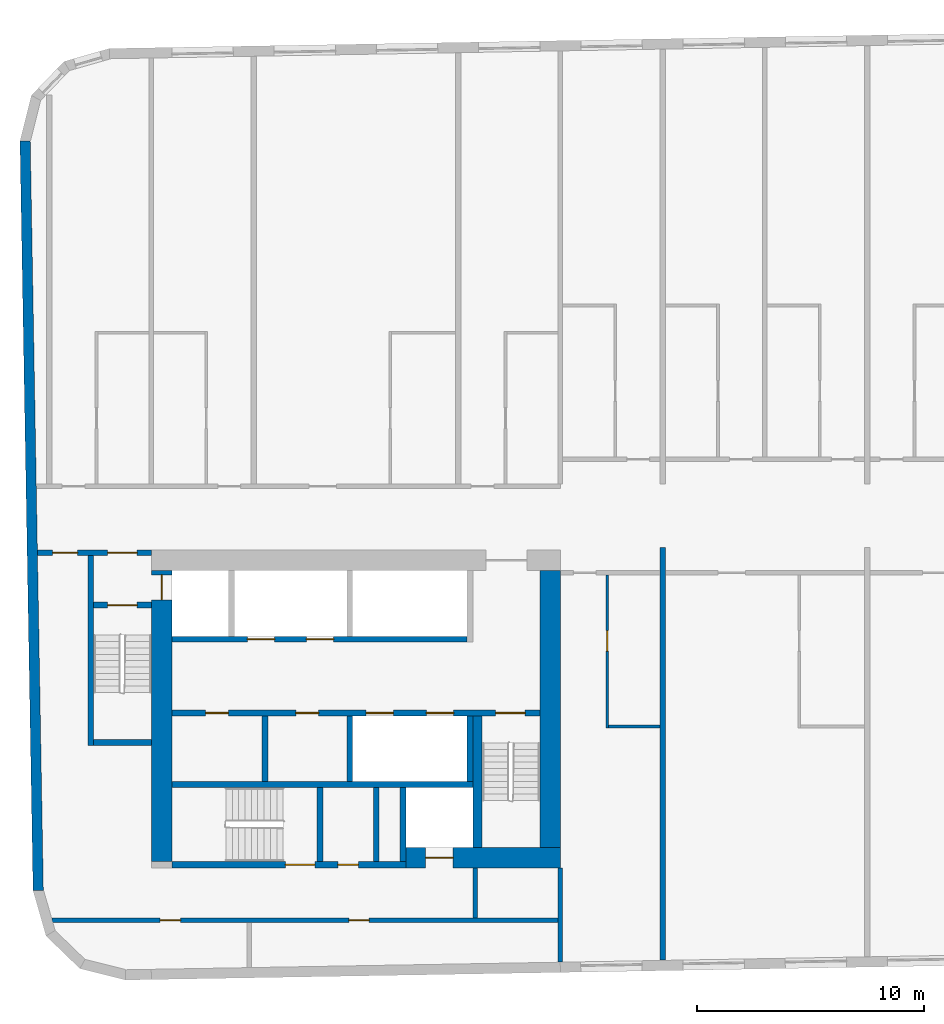
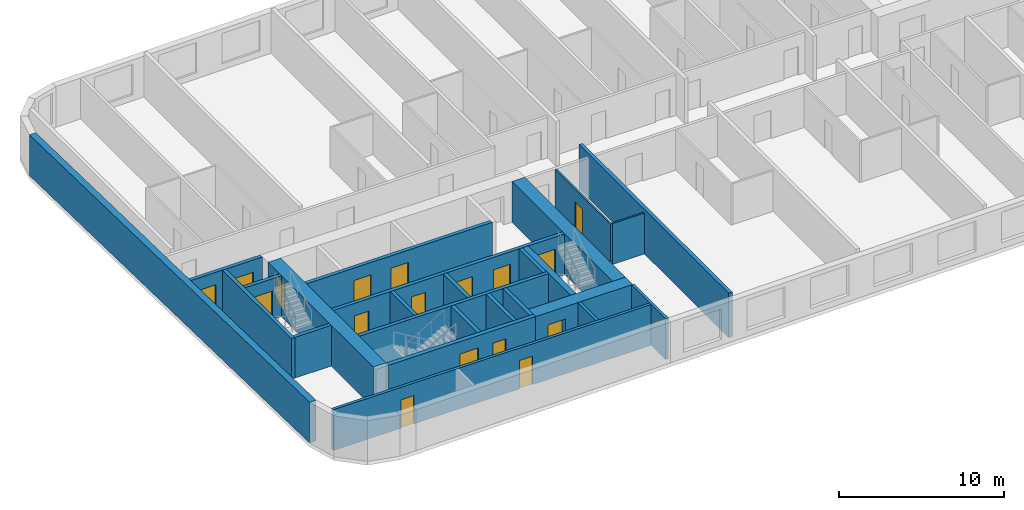
# One storey, part 2 of 11: 25 walls, 17 doors, 17 openings.
"""IFC4 building model written with IfcOpenShell, lengths in metres."""

import ifcopenshell
import ifcopenshell.guid

model = None  # the IFC model being written
_history = None  # IfcOwnerHistory: only IFC2X3 demands one
_inside = {}  # id of a spatial element -> (the spatial element, [elements in it])
_under = {}  # id of a project, library or spatial element -> (it, [spatial elements below it])
_declared = {}  # id of a project -> (the project, [libraries it declares])
_typed = {}  # id of a type object -> (the type object, [elements of that type])
_made_of = {}  # id of a material, layer set ... -> (it, [elements and type objects made of it])


def new_model(schema):
    """Start an empty IFC model of exactly this schema.

    Asked for "IFC4X3", IfcOpenShell would pick the latest addendum, in which some entities
    have other attributes; the version numbers below select the first issue.
    IFC2X3 requires an IfcOwnerHistory on every rooted entity: one is made here for all.
    """
    global model, _history
    if schema == "IFC4X3":
        model = ifcopenshell.file(schema_version=(4, 3, 0, 0))
    else:
        model = ifcopenshell.file(schema=schema)
    _inside.clear()
    _under.clear()
    _declared.clear()
    _typed.clear()
    _made_of.clear()
    _history = None
    if model.schema == "IFC2X3":
        org = make("IfcOrganization", Name="unknown")
        user = make(
            "IfcPersonAndOrganization",
            ThePerson=make("IfcPerson", FamilyName="unknown"),
            TheOrganization=org,
        )
        app = make(
            "IfcApplication",
            ApplicationDeveloper=org,
            Version="unknown",
            ApplicationFullName="unknown",
            ApplicationIdentifier="unknown",
        )
        _history = make(
            "IfcOwnerHistory",
            OwningUser=user,
            OwningApplication=app,
            ChangeAction="ADDED",
            CreationDate=0,
        )
    return model


def make(cls, **values):
    """One entity of the class cls with the attributes given. An attribute that is None is left unset."""
    return model.create_entity(
        cls, **{name: value for name, value in values.items() if value is not None}
    )


def rooted(cls, **values):
    """An entity with a GlobalId (a new one), such as an element, a storey or a relation."""
    return make(cls, GlobalId=ifcopenshell.guid.new(), OwnerHistory=_history, **values)


def si_unit(unit_type, name, prefix=None):
    """IfcSIUnit, for example si_unit("LENGTHUNIT", "METRE", prefix="MILLI")."""
    return make("IfcSIUnit", UnitType=unit_type, Prefix=prefix, Name=name)


def assignment(units):
    """IfcUnitAssignment: the units of a project."""
    return None if units is None else make("IfcUnitAssignment", Units=units)


def point(xyz):
    """IfcCartesianPoint."""
    return None if xyz is None else make("IfcCartesianPoint", Coordinates=xyz)


def direction(xyz):
    """IfcDirection."""
    return None if xyz is None else make("IfcDirection", DirectionRatios=xyz)


def frame(location, z_axis=None, x_axis=None):
    """IfcAxis2Placement3D, a coordinate frame: its origin and axes. An axis left out is left unset."""
    return make(
        "IfcAxis2Placement3D",
        Location=point(location),
        Axis=direction(z_axis),
        RefDirection=direction(x_axis),
    )


def frame_2d(location, x_axis=None):
    """IfcAxis2Placement2D, a coordinate frame in the plane: its origin and x axis."""
    return make(
        "IfcAxis2Placement2D", Location=point(location), RefDirection=direction(x_axis)
    )


def origin():
    """The frame at (0, 0, 0) with its axes left unset."""
    return frame((0.0, 0.0, 0.0))


def place(relative_to, where):
    """IfcLocalPlacement: puts the frame where relative to a parent placement (None: the world)."""
    return make(
        "IfcLocalPlacement", PlacementRelTo=relative_to, RelativePlacement=where
    )


def context(
    kind, dimensions, precision=None, world=None, true_north=None, identifier=None
):
    """IfcGeometricRepresentationContext, for example the 3D "Model" context."""
    return make(
        "IfcGeometricRepresentationContext",
        ContextIdentifier=identifier,
        ContextType=kind,
        CoordinateSpaceDimension=dimensions,
        Precision=precision,
        WorldCoordinateSystem=world,
        TrueNorth=true_north,
    )


def subcontext(parent, identifier, kind, view, scale=None):
    """IfcGeometricRepresentationSubContext, for example "Body" below "Model"."""
    return make(
        "IfcGeometricRepresentationSubContext",
        ContextIdentifier=identifier,
        ContextType=kind,
        ParentContext=parent,
        TargetScale=scale,
        TargetView=view,
    )


def project(units=None, contexts=None):
    """IfcProject with its units and contexts."""
    return rooted(
        "IfcProject",
        Name="project",
        RepresentationContexts=contexts,
        UnitsInContext=assignment(units),
    )


def spatial(cls, under=None, at=None, **own):
    """A site, building, storey or space (cls), placed at a placement, below another one or the project."""
    s = rooted(cls, ObjectPlacement=at, **own)
    if under is not None:
        _under.setdefault(under.id(), (under, []))[1].append(s)
    return s


def profile(cls, at=None, kind="AREA", **sizes):
    """A parametric profile (cls). Its sizes go by their IFC names, for example OverallWidth=200.0."""
    return make(cls, ProfileType=kind, Position=at, **sizes)


def rectangle(**sizes):
    """IfcRectangleProfileDef."""
    return profile("IfcRectangleProfileDef", **sizes)


def extrude(swept, where, along, depth):
    """IfcExtrudedAreaSolid: the profile swept, set in the frame where, extruded along a direction by depth."""
    return make(
        "IfcExtrudedAreaSolid",
        SweptArea=swept,
        Position=where,
        ExtrudedDirection=direction(along),
        Depth=depth,
    )


def shape(context_of_items, identifier, shape_type, items):
    """IfcShapeRepresentation: the items that make up one representation, for example the "Body"."""
    return make(
        "IfcShapeRepresentation",
        ContextOfItems=context_of_items,
        RepresentationIdentifier=identifier,
        RepresentationType=shape_type,
        Items=items,
    )


def material(Name=None, Category=None):
    """IfcMaterial."""
    return make("IfcMaterial", Name=Name, Category=Category)


def layer(
    of_material, thickness, ventilated=None, Name=None, Category=None, Priority=None
):
    """IfcMaterialLayer: one layer of a wall or slab, of a material (None: an air gap)."""
    return make(
        "IfcMaterialLayer",
        Material=of_material,
        LayerThickness=thickness,
        IsVentilated=ventilated,
        Name=Name,
        Category=Category,
        Priority=Priority,
    )


def layer_set(layers, Name=None):
    """IfcMaterialLayerSet."""
    return make("IfcMaterialLayerSet", MaterialLayers=layers, LayerSetName=Name)


def made_of(thing, what):
    """Note that an element or type object is made of a material, layer set ...; save() writes the relation."""
    if what is not None:
        _made_of.setdefault(what.id(), (what, []))[1].append(thing)
    return thing


def type_object(cls, material=None, **own):
    """A type object (cls), such as IfcWallType, which elements share."""
    return made_of(rooted(cls, **own), material)


def element(
    cls,
    number,
    at=None,
    inside=None,
    cuts=None,
    type_object=None,
    material=None,
    context=None,
    identifier="Body",
    shape_type=None,
    held_by="IfcProductDefinitionShape",
    body=None,
    shapes=None,
    **own,
):
    """One element of the class cls, such as IfcWall. Its Tag is "e" and its number.

    at: its placement. inside: the storey or other place that contains it. cuts: it is an
    opening in that element (IfcRelVoidsElement). A single representation is given by context,
    identifier, shape_type and body (its items); several are given by shapes. held_by: the class
    of the entity that holds the representations. save() writes the other relations.
    """
    e = rooted(cls, Tag="e%d" % number, ObjectPlacement=at, **own)
    if body is not None:
        shapes = [shape(context, identifier, shape_type, body)]
    if shapes is not None:
        e.Representation = make(held_by, Representations=shapes)
    if inside is not None:
        _inside.setdefault(inside.id(), (inside, []))[1].append(e)
    if cuts is not None:
        rooted(
            "IfcRelVoidsElement", RelatingBuildingElement=cuts, RelatedOpeningElement=e
        )
    if type_object is not None:
        _typed.setdefault(type_object.id(), (type_object, []))[1].append(e)
    return made_of(e, material)


def fill(opening, filler):
    """IfcRelFillsElement: the door or window that sits in an opening."""
    return rooted(
        "IfcRelFillsElement",
        RelatingOpeningElement=opening,
        RelatedBuildingElement=filler,
    )


def aggregate(whole, parts):
    """IfcRelAggregates: a whole, such as a stair, and the parts it consists of."""
    return rooted("IfcRelAggregates", RelatingObject=whole, RelatedObjects=parts)


def save(model, path):
    """Write the relations noted so far, then the file.

    IfcRelAggregates (storeys below a building ...), IfcRelContainedInSpatialStructure (elements
    in a storey), IfcRelDefinesByType, IfcRelAssociatesMaterial and IfcRelDeclares: one each for
    every whole, place, type object, material and project.
    """
    for whole, parts in _under.values():
        aggregate(whole, parts)
    for where, things in _inside.values():
        rooted(
            "IfcRelContainedInSpatialStructure",
            RelatedElements=things,
            RelatingStructure=where,
        )
    for kind, things in _typed.values():
        rooted("IfcRelDefinesByType", RelatedObjects=things, RelatingType=kind)
    for what, things in _made_of.values():
        rooted("IfcRelAssociatesMaterial", RelatedObjects=things, RelatingMaterial=what)
    for by, libraries in _declared.values():
        rooted("IfcRelDeclares", RelatingContext=by, RelatedDefinitions=libraries)
    model.write(path)


model = new_model("IFC4")

# Units and contexts
model_context = context("Model", 3, precision=1e-05, world=origin(), true_north=direction((0.0, 1.0)))
body_context = subcontext(model_context, "Body", "Model", "MODEL_VIEW")
ifc_project = project(units=[si_unit("LENGTHUNIT", "METRE"), si_unit("AREAUNIT", "SQUARE_METRE"), si_unit("VOLUMEUNIT", "CUBIC_METRE"), si_unit("PLANEANGLEUNIT", "RADIAN"), si_unit("MASSUNIT", "GRAM", prefix="KILO")], contexts=[model_context])

# Site, building, storey
site_placement = place(None, origin())
site = spatial("IfcSite", under=ifc_project, at=site_placement, CompositionType="ELEMENT")
building_placement = place(site_placement, origin())
building = spatial("IfcBuilding", under=site, at=building_placement, Name="Kajstack Hotel Tower", CompositionType="ELEMENT")
storey_placement = place(building_placement, frame((0.0, 0.0, 224.300048828125)))
storey = spatial("IfcBuildingStorey", under=building, at=storey_placement, Name="L54", CompositionType="ELEMENT", Elevation=224.300048828125)

# Wall, opening, door
ifc_material_1 = material(Name="Concrete C60/75", Category="concrete")
ifc_layer_1 = layer(ifc_material_1, 0.89990234375)
ifc_layer_set_1 = layer_set([ifc_layer_1], Name="Core wall 900")
wall_type_1 = type_object("IfcWallType", Name="Core wall 900", PredefinedType="SHEAR", material=ifc_layer_set_1)
wall_1_placement = place(storey_placement, frame((-20.300048828125, -15.050048828125, 0.0), z_axis=(0.0, 0.0, 1.0), x_axis=(1.0, 0.0, 0.0)))
wall_1 = element("IfcWall", 1, at=wall_1_placement, inside=storey, type_object=wall_type_1, Name="Core wall W RS", PredefinedType="SHEAR", context=body_context, shape_type="SweptSolid", body=[
    extrude(rectangle(XDim=6.800048828125, YDim=0.89990234375, at=frame_2d((3.39990234375, 0.0))), origin(), (0.0, 0.0, 1.0), 3.02001953125),
])
opening_1_placement = place(wall_1_placement, frame((0.875, 0.0, 0.0)))
opening_1 = element("IfcOpeningElement", 2, at=opening_1_placement, cuts=wall_1, Name="Opening LD-SV1", PredefinedType="OPENING", context=body_context, shape_type="SweptSolid", body=[
    extrude(rectangle(XDim=1.199951171875, YDim=2.10009765625, at=frame_2d((0.60009765625, 1.050048828125))), frame((0.0, 0.4599609375, 0.0), z_axis=(0.0, -1.0, 0.0), x_axis=(1.0, 0.0, 0.0)), (0.0, 0.0, 1.0), 0.919921875),
])
ifc_material_2 = material(Name="Stainless steel", Category="steel")
door_type_1 = type_object("IfcDoorType", Name="Lift landing door 1200", OperationType="SLIDING_TO_LEFT", PredefinedType="DOOR", material=ifc_material_2)
door_1_placement = place(opening_1_placement, origin())
door_1 = element("IfcDoor", 3, at=door_1_placement, inside=storey, type_object=door_type_1, Name="Landing door SV1", OperationType="SLIDING_TO_LEFT", OverallHeight=2.10009765625, OverallWidth=1.199951171875, PredefinedType="DOOR", context=body_context, shape_type="SweptSolid", body=[
    extrude(rectangle(XDim=1.199951171875, YDim=2.10009765625, at=frame_2d((0.60009765625, 1.050048828125))), frame((0.0, 0.02490234375, 0.0), z_axis=(0.0, -1.0, 0.0), x_axis=(1.0, 0.0, 0.0)), (0.0, 0.0, 1.0), 0.050048828125),
])
fill(opening_1, door_1)

wall_2_placement = place(storey_placement, frame((-31.050048828125, -15.199951171875, 0.0), z_axis=(0.0, 0.0, 1.0), x_axis=(0.0, 1.0, 0.0)))
wall_2 = element("IfcWall", 4, at=wall_2_placement, inside=storey, type_object=wall_type_1, Name="Core wall W RW", PredefinedType="SHEAR", context=body_context, shape_type="SweptSolid", body=[
    extrude(rectangle(XDim=12.800048828125, YDim=0.89990234375, at=frame_2d((6.39990234375, 0.0))), origin(), (0.0, 0.0, 1.0), 3.02001953125),
])
opening_2_placement = place(wall_2_placement, frame((11.5, 0.0, 0.0)))
opening_2 = element("IfcOpeningElement", 5, at=opening_2_placement, cuts=wall_2, Name="Opening LD-FF1", PredefinedType="OPENING", context=body_context, shape_type="SweptSolid", body=[
    extrude(rectangle(XDim=1.10009765625, YDim=2.10009765625, at=frame_2d((0.550048828125, 1.050048828125))), frame((0.0, 0.4599609375, 0.0), z_axis=(0.0, -1.0, 0.0), x_axis=(1.0, 0.0, 0.0)), (0.0, 0.0, 1.0), 0.919921875),
])
door_type_2 = type_object("IfcDoorType", Name="Fire-fighting lift landing door 1100", OperationType="SLIDING_TO_LEFT", PredefinedType="DOOR", material=ifc_material_2)
door_2_placement = place(opening_2_placement, origin())
door_2 = element("IfcDoor", 6, at=door_2_placement, inside=storey, type_object=door_type_2, Name="Landing door FF1", OperationType="SLIDING_TO_RIGHT", OverallHeight=2.10009765625, OverallWidth=1.10009765625, PredefinedType="DOOR", context=body_context, shape_type="SweptSolid", body=[
    extrude(rectangle(XDim=1.10009765625, YDim=2.10009765625, at=frame_2d((0.550048828125, 1.050048828125))), frame((0.0, 0.02490234375, 0.0), z_axis=(0.0, -1.0, 0.0), x_axis=(1.0, 0.0, 0.0)), (0.0, 0.0, 1.0), 0.050048828125),
])
fill(opening_2, door_2)

# Walls
wall_3_placement = place(storey_placement, frame((-13.949951171875, -14.60009765625, 0.0), z_axis=(0.0, 0.0, 1.0), x_axis=(0.0, 1.0, 0.0)))
element("IfcWall", 7, at=wall_3_placement, inside=storey, type_object=wall_type_1, Name="Core wall W RE", PredefinedType="SHEAR", context=body_context, shape_type="SweptSolid", body=[
    extrude(rectangle(XDim=12.2001953125, YDim=0.89990234375, at=frame_2d((6.10009765625, 0.0))), origin(), (0.0, 0.0, 1.0), 3.02001953125),
])
ifc_material_3 = material(Name="Twin-frame gypsum board on steel studs, mineral wool", Category="steel")
ifc_layer_2 = layer(ifc_material_3, 0.199951171875)
ifc_layer_set_2 = layer_set([ifc_layer_2], Name="Demising wall 200")
wall_type_2 = type_object("IfcWallType", Name="Demising wall 200", PredefinedType="PARTITIONING", material=ifc_layer_set_2)
wall_4_placement = place(storey_placement, frame((-13.5, -19.64111328125, 0.0), z_axis=(0.0, 0.0, 1.0), x_axis=(0.0, 1.0, 0.0)))
element("IfcWall", 8, at=wall_4_placement, inside=storey, type_object=wall_type_2, Name="G-wall-L54-002", PredefinedType="PARTITIONING", context=body_context, shape_type="SweptSolid", body=[
    extrude(rectangle(XDim=4.14111328125, YDim=0.199951171875, at=frame_2d((2.070556640625, 0.0))), origin(), (0.0, 0.0, 1.0), 3.02001953125),
])
ifc_material_4 = material(Name="Terracotta-faced brick masonry", Category="masonry")
ifc_layer_3 = layer(ifc_material_4, 0.449951171875)
ifc_layer_set_3 = layer_set([ifc_layer_3], Name="EW-TERRA")
wall_type_3 = type_object("IfcWallType", Name="EW-TERRA", PredefinedType="SOLIDWALL", material=ifc_layer_set_3)
wall_5_placement = place(storey_placement, frame((-37.056884765625, 16.50341796875, 0.0), z_axis=(0.0, 0.0, 1.0), x_axis=(0.017452279857, -0.999847697366, 0.0)))
element("IfcWall", 9, at=wall_5_placement, inside=storey, type_object=wall_type_3, Name="E-wall-L54-00-00", PredefinedType="SOLIDWALL", context=body_context, shape_type="SweptSolid", body=[
    extrude(rectangle(XDim=33.000244140625, YDim=0.449951171875, at=frame_2d((16.5, 0.0))), origin(), (0.0, 0.0, 1.0), 3.02001953125),
])

# Wall, opening, door
ifc_material_5 = material(Name="Gypsum board and tiled backer on steel studs", Category="steel")
ifc_layer_4 = layer(ifc_material_5, 0.125)
ifc_layer_set_4 = layer_set([ifc_layer_4], Name="En-suite wall 125")
wall_type_4 = type_object("IfcWallType", Name="En-suite wall 125", PredefinedType="PARTITIONING", material=ifc_layer_set_4)
wall_6_placement = place(storey_placement, frame((-11.43798828125, -9.324951171875, 0.0), z_axis=(0.0, 0.0, 1.0), x_axis=(0.0, 1.0, 0.0)))
wall_6 = element("IfcWall", 10, at=wall_6_placement, inside=storey, type_object=wall_type_4, Name="G-wall-L54-031", PredefinedType="PARTITIONING", context=body_context, shape_type="SweptSolid", body=[
    extrude(rectangle(XDim=6.724853515625, YDim=0.125, at=frame_2d((3.3623046875, 0.0))), origin(), (0.0, 0.0, 1.0), 3.02001953125),
])
opening_3_placement = place(wall_6_placement, frame((3.375, 0.0, 0.0)))
opening_3 = element("IfcOpeningElement", 11, at=opening_3_placement, cuts=wall_6, Name="Opening 54022", PredefinedType="OPENING", context=body_context, shape_type="SweptSolid", body=[
    extrude(rectangle(XDim=0.89990234375, YDim=2.10009765625, at=frame_2d((0.449951171875, 1.050048828125))), frame((0.0, 0.072509765625, 0.0), z_axis=(0.0, -1.0, 0.0), x_axis=(1.0, 0.0, 0.0)), (0.0, 0.0, 1.0), 0.14501953125),
])
ifc_material_6 = material(Name="Painted timber door leaf", Category="wood")
door_type_3 = type_object("IfcDoorType", Name="Room door 900", OperationType="SINGLE_SWING_LEFT", PredefinedType="DOOR", material=ifc_material_6)
door_3_placement = place(opening_3_placement, origin())
door_3 = element("IfcDoor", 12, at=door_3_placement, inside=storey, type_object=door_type_3, Name="G-door-L54-22", OperationType="SINGLE_SWING_RIGHT", OverallHeight=2.10009765625, OverallWidth=0.89990234375, PredefinedType="DOOR", context=body_context, shape_type="SweptSolid", body=[
    extrude(rectangle(XDim=0.89990234375, YDim=2.10009765625, at=frame_2d((0.449951171875, 1.050048828125))), frame((0.0, 0.02490234375, 0.0), z_axis=(0.0, -1.0, 0.0), x_axis=(1.0, 0.0, 0.0)), (0.0, 0.0, 1.0), 0.050048828125),
])
fill(opening_3, door_3)

# Walls
wall_7_placement = place(storey_placement, frame((-11.375, -9.261962890625, 0.0), z_axis=(0.0, 0.0, 1.0), x_axis=(1.0, 0.0, 0.0)))
element("IfcWall", 13, at=wall_7_placement, inside=storey, type_object=wall_type_4, Name="G-wall-L54-032", PredefinedType="PARTITIONING", context=body_context, shape_type="SweptSolid", body=[
    extrude(rectangle(XDim=2.25, YDim=0.125, at=frame_2d((1.125, 0.0))), origin(), (0.0, 0.0, 1.0), 3.02001953125),
])
ifc_material_7 = material(Name="Concrete C50/60", Category="concrete")
ifc_layer_5 = layer(ifc_material_7, 0.300048828125)
ifc_layer_set_5 = layer_set([ifc_layer_5], Name="Hoistway divider wall 300")
wall_type_5 = type_object("IfcWallType", Name="Hoistway divider wall 300", PredefinedType="SHEAR", material=ifc_layer_set_5)
wall_8_placement = place(storey_placement, frame((-22.77490234375, -11.699951171875, 0.0), z_axis=(0.0, 0.0, 1.0), x_axis=(0.0, 1.0, 0.0)))
element("IfcWall", 14, at=wall_8_placement, inside=storey, type_object=wall_type_5, Name="Core wall W BP2", PredefinedType="SHEAR", context=body_context, shape_type="SweptSolid", body=[
    extrude(rectangle(XDim=2.89990234375, YDim=0.25, at=frame_2d((1.449951171875, 0.0))), origin(), (0.0, 0.0, 1.0), 3.02001953125),
])
ifc_material_8 = material(Name="Concrete C45/55", Category="concrete")
ifc_layer_6 = layer(ifc_material_8, 0.25)
ifc_layer_set_6 = layer_set([ifc_layer_6], Name="RC cross wall 250 C45/55")
wall_type_6 = type_object("IfcWallType", Name="RC cross wall 250 C45/55", PredefinedType="SHEAR", material=ifc_layer_set_6)
wall_9_placement = place(storey_placement, frame((-9.0, -19.55029296875, 0.0), z_axis=(0.0, 0.0, 1.0), x_axis=(0.0, 1.0, 0.0)))
element("IfcWall", 15, at=wall_9_placement, inside=storey, type_object=wall_type_6, Name="S-wall-L54-04", PredefinedType="SHEAR", context=body_context, shape_type="SweptSolid", body=[
    extrude(rectangle(XDim=18.150390625, YDim=0.25, at=frame_2d((9.0751953125, 0.0))), origin(), (0.0, 0.0, 1.0), 3.300048828125),
])
ifc_material_9 = material(Name="Concrete block masonry", Category="masonry")
ifc_layer_7 = layer(ifc_material_9, 0.25)
ifc_layer_set_7 = layer_set([ifc_layer_7], Name="Riser partition 250")
wall_type_7 = type_object("IfcWallType", Name="Riser partition 250", PredefinedType="PARTITIONING", material=ifc_layer_set_7)
wall_10_placement = place(storey_placement, frame((-26.5, -11.699951171875, 0.0), z_axis=(0.0, 0.0, 1.0), x_axis=(0.0, 1.0, 0.0)))
element("IfcWall", 16, at=wall_10_placement, inside=storey, type_object=wall_type_7, Name="Partition W BF0", PredefinedType="PARTITIONING", context=body_context, shape_type="SweptSolid", body=[
    extrude(rectangle(XDim=2.89990234375, YDim=0.25, at=frame_2d((1.449951171875, 0.0))), origin(), (0.0, 0.0, 1.0), 3.02001953125),
])
wall_11_placement = place(storey_placement, frame((-21.60009765625, -15.199951171875, 0.0), z_axis=(0.0, 0.0, 1.0), x_axis=(0.0, 1.0, 0.0)))
element("IfcWall", 17, at=wall_11_placement, inside=storey, type_object=wall_type_7, Name="Partition W SZ0", PredefinedType="PARTITIONING", context=body_context, shape_type="SweptSolid", body=[
    extrude(rectangle(XDim=3.25, YDim=0.25, at=frame_2d((1.625, 0.0))), origin(), (0.0, 0.0, 1.0), 3.02001953125),
])

# Wall, openings, doors
ifc_material_10 = material(Name="Gypsum board on steel studs, mineral wool", Category="steel")
ifc_layer_8 = layer(ifc_material_10, 0.199951171875)
ifc_layer_set_8 = layer_set([ifc_layer_8], Name="Service partition 200")
wall_type_8 = type_object("IfcWallType", Name="Service partition 200", PredefinedType="PARTITIONING", material=ifc_layer_set_8)
wall_12_placement = place(storey_placement, frame((-36.515380859375, -1.625, 0.0), z_axis=(0.0, 0.0, 1.0), x_axis=(1.0, 0.0, 0.0)))
wall_12 = element("IfcWall", 18, at=wall_12_placement, inside=storey, type_object=wall_type_8, Name="Partition W SN", PredefinedType="PARTITIONING", context=body_context, shape_type="SweptSolid", body=[
    extrude(rectangle(XDim=5.015380859375, YDim=0.25, at=frame_2d((2.5078125, 0.0))), origin(), (0.0, 0.0, 1.0), 3.02001953125),
])
opening_4_placement = place(wall_12_placement, frame((3.09033203125, 0.0, 0.0)))
opening_4 = element("IfcOpeningElement", 19, at=opening_4_placement, cuts=wall_12, Name="Opening 54W08", PredefinedType="OPENING", context=body_context, shape_type="SweptSolid", body=[
    extrude(rectangle(XDim=1.300048828125, YDim=2.10009765625, at=frame_2d((0.64990234375, 1.050048828125))), frame((0.0, 0.135009765625, 0.0), z_axis=(0.0, -1.0, 0.0), x_axis=(1.0, 0.0, 0.0)), (0.0, 0.0, 1.0), 0.27001953125),
])
opening_5_placement = place(wall_12_placement, frame((0.665283203125, 0.0, 0.0)))
opening_5 = element("IfcOpeningElement", 20, at=opening_5_placement, cuts=wall_12, Name="Opening 54W10", PredefinedType="OPENING", context=body_context, shape_type="SweptSolid", body=[
    extrude(rectangle(XDim=1.10009765625, YDim=2.10009765625, at=frame_2d((0.550048828125, 1.050048828125))), frame((0.0, 0.135009765625, 0.0), z_axis=(0.0, -1.0, 0.0), x_axis=(1.0, 0.0, 0.0)), (0.0, 0.0, 1.0), 0.27001953125),
])
ifc_material_11 = material(Name="Steel leaf, fire-rated", Category="steel")
door_type_4 = type_object("IfcDoorType", Name="Fire lobby door 1300", OperationType="SINGLE_SWING_LEFT", PredefinedType="DOOR", material=ifc_material_11)
door_4_placement = place(opening_4_placement, origin())
door_4 = element("IfcDoor", 21, at=door_4_placement, inside=storey, type_object=door_type_4, Name="Door 54W08", OperationType="SINGLE_SWING_RIGHT", OverallHeight=2.10009765625, OverallWidth=1.300048828125, PredefinedType="DOOR", context=body_context, shape_type="SweptSolid", body=[
    extrude(rectangle(XDim=1.300048828125, YDim=2.10009765625, at=frame_2d((0.64990234375, 1.050048828125))), frame((0.0, 0.02490234375, 0.0), z_axis=(0.0, -1.0, 0.0), x_axis=(1.0, 0.0, 0.0)), (0.0, 0.0, 1.0), 0.050048828125),
])
fill(opening_4, door_4)
ifc_material_12 = material(Name="Timber leaf, fire-rated", Category="wood")
door_type_5 = type_object("IfcDoorType", Name="Service corridor door 1100", OperationType="SINGLE_SWING_LEFT", PredefinedType="DOOR", material=ifc_material_12)
door_5_placement = place(opening_5_placement, origin())
door_5 = element("IfcDoor", 22, at=door_5_placement, inside=storey, type_object=door_type_5, Name="Door 54W10", OperationType="SINGLE_SWING_RIGHT", OverallHeight=2.10009765625, OverallWidth=1.10009765625, PredefinedType="DOOR", context=body_context, shape_type="SweptSolid", body=[
    extrude(rectangle(XDim=1.10009765625, YDim=2.10009765625, at=frame_2d((0.550048828125, 1.050048828125))), frame((0.0, 0.02490234375, 0.0), z_axis=(0.0, -1.0, 0.0), x_axis=(1.0, 0.0, 0.0)), (0.0, 0.0, 1.0), 0.050048828125),
])
fill(opening_5, door_5)

# Wall
wall_13_placement = place(storey_placement, frame((-17.25, -17.699951171875, 0.0), z_axis=(0.0, 0.0, 1.0), x_axis=(0.0, 1.0, 0.0)))
element("IfcWall", 23, at=wall_13_placement, inside=storey, type_object=wall_type_8, Name="Partition W SCE", PredefinedType="PARTITIONING", context=body_context, shape_type="SweptSolid", body=[
    extrude(rectangle(XDim=2.199951171875, YDim=0.199951171875, at=frame_2d((1.10009765625, 0.0))), origin(), (0.0, 0.0, 1.0), 3.02001953125),
])

# Wall, openings, doors
wall_14_placement = place(storey_placement, frame((-35.86376953125, -17.800048828125, 0.0), z_axis=(0.0, 0.0, 1.0), x_axis=(1.0, 0.0, 0.0)))
wall_14 = element("IfcWall", 24, at=wall_14_placement, inside=storey, type_object=wall_type_8, Name="Partition W SLN", PredefinedType="PARTITIONING", context=body_context, shape_type="SweptSolid", body=[
    extrude(rectangle(XDim=22.263671875, YDim=0.199951171875, at=frame_2d((11.1318359375, 0.0))), origin(), (0.0, 0.0, 1.0), 3.02001953125),
])
opening_6_placement = place(wall_14_placement, frame((4.751220703125, 0.0, 0.0)))
opening_6 = element("IfcOpeningElement", 25, at=opening_6_placement, cuts=wall_14, Name="Opening 54W16", PredefinedType="OPENING", context=body_context, shape_type="SweptSolid", body=[
    extrude(rectangle(XDim=0.89990234375, YDim=2.10009765625, at=frame_2d((0.449951171875, 1.050048828125))), frame((0.0, 0.10986328125, 0.0), z_axis=(0.0, -1.0, 0.0), x_axis=(1.0, 0.0, 0.0)), (0.0, 0.0, 1.0), 0.219970703125),
])
opening_7_placement = place(wall_14_placement, frame((13.05126953125, 0.0, 0.0)))
opening_7 = element("IfcOpeningElement", 26, at=opening_7_placement, cuts=wall_14, Name="Opening 54W17", PredefinedType="OPENING", context=body_context, shape_type="SweptSolid", body=[
    extrude(rectangle(XDim=0.89990234375, YDim=2.10009765625, at=frame_2d((0.449951171875, 1.050048828125))), frame((0.0, 0.10986328125, 0.0), z_axis=(0.0, -1.0, 0.0), x_axis=(1.0, 0.0, 0.0)), (0.0, 0.0, 1.0), 0.219970703125),
])
door_type_6 = type_object("IfcDoorType", Name="Service door 900", OperationType="SINGLE_SWING_LEFT", PredefinedType="DOOR", material=ifc_material_12)
door_6_placement = place(opening_6_placement, origin())
door_6 = element("IfcDoor", 27, at=door_6_placement, inside=storey, type_object=door_type_6, Name="Door 54W16", OperationType="SINGLE_SWING_RIGHT", OverallHeight=2.10009765625, OverallWidth=0.89990234375, PredefinedType="DOOR", context=body_context, shape_type="SweptSolid", body=[
    extrude(rectangle(XDim=0.89990234375, YDim=2.10009765625, at=frame_2d((0.449951171875, 1.050048828125))), frame((0.0, 0.02490234375, 0.0), z_axis=(0.0, -1.0, 0.0), x_axis=(1.0, 0.0, 0.0)), (0.0, 0.0, 1.0), 0.050048828125),
])
fill(opening_6, door_6)
door_7_placement = place(opening_7_placement, origin())
door_7 = element("IfcDoor", 28, at=door_7_placement, inside=storey, type_object=door_type_6, Name="Door 54W17", OperationType="SINGLE_SWING_RIGHT", OverallHeight=2.10009765625, OverallWidth=0.89990234375, PredefinedType="DOOR", context=body_context, shape_type="SweptSolid", body=[
    extrude(rectangle(XDim=0.89990234375, YDim=2.10009765625, at=frame_2d((0.449951171875, 1.050048828125))), frame((0.0, 0.02490234375, 0.0), z_axis=(0.0, -1.0, 0.0), x_axis=(1.0, 0.0, 0.0)), (0.0, 0.0, 1.0), 0.050048828125),
])
fill(opening_7, door_7)

ifc_layer_9 = layer(ifc_material_7, 0.25)
ifc_layer_set_9 = layer_set([ifc_layer_9], Name="Shaft wall 250")
wall_type_9 = type_object("IfcWallType", Name="Shaft wall 250", PredefinedType="SHEAR", material=ifc_layer_set_9)
wall_15_placement = place(storey_placement, frame((-30.60009765625, -15.35009765625, 0.0), z_axis=(0.0, 0.0, 1.0), x_axis=(1.0, 0.0, 0.0)))
wall_15 = element("IfcWall", 29, at=wall_15_placement, inside=storey, type_object=wall_type_9, Name="Core wall W RSS", PredefinedType="SHEAR", context=body_context, shape_type="SweptSolid", body=[
    extrude(rectangle(XDim=10.300048828125, YDim=0.300048828125, at=frame_2d((5.14990234375, 0.0))), origin(), (0.0, 0.0, 1.0), 3.02001953125),
])
opening_8_placement = place(wall_15_placement, frame((5.0, 0.0, 0.0)))
opening_8 = element("IfcOpeningElement", 30, at=opening_8_placement, cuts=wall_15, Name="Opening 54W12", PredefinedType="OPENING", context=body_context, shape_type="SweptSolid", body=[
    extrude(rectangle(XDim=1.300048828125, YDim=2.10009765625, at=frame_2d((0.64990234375, 1.050048828125))), frame((0.0, 0.159912109375, 0.0), z_axis=(0.0, -1.0, 0.0), x_axis=(1.0, 0.0, 0.0)), (0.0, 0.0, 1.0), 0.320068359375),
])
opening_9_placement = place(wall_15_placement, frame((7.3125, 0.0, 0.0)))
opening_9 = element("IfcOpeningElement", 31, at=opening_9_placement, cuts=wall_15, Name="Opening 54W13", PredefinedType="OPENING", context=body_context, shape_type="SweptSolid", body=[
    extrude(rectangle(XDim=0.89990234375, YDim=2.10009765625, at=frame_2d((0.449951171875, 1.050048828125))), frame((0.0, 0.159912109375, 0.0), z_axis=(0.0, -1.0, 0.0), x_axis=(1.0, 0.0, 0.0)), (0.0, 0.0, 1.0), 0.320068359375),
])
door_8_placement = place(opening_9_placement, origin())
door_8 = element("IfcDoor", 32, at=door_8_placement, inside=storey, type_object=door_type_6, Name="Door 54W13", OperationType="SINGLE_SWING_LEFT", OverallHeight=2.10009765625, OverallWidth=0.89990234375, PredefinedType="DOOR", context=body_context, shape_type="SweptSolid", body=[
    extrude(rectangle(XDim=0.89990234375, YDim=2.10009765625, at=frame_2d((0.449951171875, 1.050048828125))), frame((0.0, 0.02490234375, 0.0), z_axis=(0.0, -1.0, 0.0), x_axis=(1.0, 0.0, 0.0)), (0.0, 0.0, 1.0), 0.050048828125),
])
fill(opening_9, door_8)
door_type_7 = type_object("IfcDoorType", Name="Stair door 1300", OperationType="SINGLE_SWING_LEFT", PredefinedType="DOOR", material=ifc_material_11)
door_9_placement = place(opening_8_placement, origin())
door_9 = element("IfcDoor", 33, at=door_9_placement, inside=storey, type_object=door_type_7, Name="Door 54W12", OperationType="SINGLE_SWING_RIGHT", OverallHeight=2.10009765625, OverallWidth=1.300048828125, PredefinedType="DOOR", context=body_context, shape_type="SweptSolid", body=[
    extrude(rectangle(XDim=1.300048828125, YDim=2.10009765625, at=frame_2d((0.64990234375, 1.050048828125))), frame((0.0, 0.02490234375, 0.0), z_axis=(0.0, -1.0, 0.0), x_axis=(1.0, 0.0, 0.0)), (0.0, 0.0, 1.0), 0.050048828125),
])
fill(opening_8, door_9)

wall_16_placement = place(storey_placement, frame((-30.60009765625, -5.425048828125, 0.0), z_axis=(0.0, 0.0, 1.0), x_axis=(1.0, 0.0, 0.0)))
wall_16 = element("IfcWall", 34, at=wall_16_placement, inside=storey, type_object=wall_type_9, Name="Core wall W FA", PredefinedType="SHEAR", context=body_context, shape_type="SweptSolid", body=[
    extrude(rectangle(XDim=13.0, YDim=0.25, at=frame_2d((6.5, 0.0))), origin(), (0.0, 0.0, 1.0), 3.02001953125),
])
opening_10_placement = place(wall_16_placement, frame((3.324951171875, 0.0, 0.0)))
opening_10 = element("IfcOpeningElement", 35, at=opening_10_placement, cuts=wall_16, Name="Opening LD-MR3", PredefinedType="OPENING", context=body_context, shape_type="SweptSolid", body=[
    extrude(rectangle(XDim=1.199951171875, YDim=2.10009765625, at=frame_2d((0.60009765625, 1.050048828125))), frame((0.0, 0.135009765625, 0.0), z_axis=(0.0, -1.0, 0.0), x_axis=(1.0, 0.0, 0.0)), (0.0, 0.0, 1.0), 0.27001953125),
])
opening_11_placement = place(wall_16_placement, frame((5.925048828125, 0.0, 0.0)))
opening_11 = element("IfcOpeningElement", 36, at=opening_11_placement, cuts=wall_16, Name="Opening LD-MR4", PredefinedType="OPENING", context=body_context, shape_type="SweptSolid", body=[
    extrude(rectangle(XDim=1.199951171875, YDim=2.10009765625, at=frame_2d((0.60009765625, 1.050048828125))), frame((0.0, 0.135009765625, 0.0), z_axis=(0.0, -1.0, 0.0), x_axis=(1.0, 0.0, 0.0)), (0.0, 0.0, 1.0), 0.27001953125),
])
door_10_placement = place(opening_10_placement, origin())
door_10 = element("IfcDoor", 37, at=door_10_placement, inside=storey, type_object=door_type_1, Name="Landing door MR3", OperationType="SLIDING_TO_RIGHT", OverallHeight=2.10009765625, OverallWidth=1.199951171875, PredefinedType="DOOR", context=body_context, shape_type="SweptSolid", body=[
    extrude(rectangle(XDim=1.199951171875, YDim=2.10009765625, at=frame_2d((0.60009765625, 1.050048828125))), frame((0.0, 0.02490234375, 0.0), z_axis=(0.0, -1.0, 0.0), x_axis=(1.0, 0.0, 0.0)), (0.0, 0.0, 1.0), 0.050048828125),
])
fill(opening_10, door_10)
door_11_placement = place(opening_11_placement, origin())
door_11 = element("IfcDoor", 38, at=door_11_placement, inside=storey, type_object=door_type_1, Name="Landing door MR4", OperationType="SLIDING_TO_RIGHT", OverallHeight=2.10009765625, OverallWidth=1.199951171875, PredefinedType="DOOR", context=body_context, shape_type="SweptSolid", body=[
    extrude(rectangle(XDim=1.199951171875, YDim=2.10009765625, at=frame_2d((0.60009765625, 1.050048828125))), frame((0.0, 0.02490234375, 0.0), z_axis=(0.0, -1.0, 0.0), x_axis=(1.0, 0.0, 0.0)), (0.0, 0.0, 1.0), 0.050048828125),
])
fill(opening_11, door_11)

wall_17_placement = place(storey_placement, frame((-30.60009765625, -8.675048828125, 0.0), z_axis=(0.0, 0.0, 1.0), x_axis=(1.0, 0.0, 0.0)))
wall_17 = element("IfcWall", 39, at=wall_17_placement, inside=storey, type_object=wall_type_9, Name="Core wall W FB", PredefinedType="SHEAR", context=body_context, shape_type="SweptSolid", body=[
    extrude(rectangle(XDim=16.2001953125, YDim=0.25, at=frame_2d((8.10009765625, 0.0))), origin(), (0.0, 0.0, 1.0), 3.02001953125),
])
opening_12_placement = place(wall_17_placement, frame((8.550048828125, 0.0, 0.0)))
opening_12 = element("IfcOpeningElement", 40, at=opening_12_placement, cuts=wall_17, Name="Opening LD-MR1", PredefinedType="OPENING", context=body_context, shape_type="SweptSolid", body=[
    extrude(rectangle(XDim=1.199951171875, YDim=2.10009765625, at=frame_2d((0.60009765625, 1.050048828125))), frame((0.0, 0.135009765625, 0.0), z_axis=(0.0, -1.0, 0.0), x_axis=(1.0, 0.0, 0.0)), (0.0, 0.0, 1.0), 0.27001953125),
])
opening_13_placement = place(wall_17_placement, frame((11.199951171875, 0.0, 0.0)))
opening_13 = element("IfcOpeningElement", 41, at=opening_13_placement, cuts=wall_17, Name="Opening LD-MR2", PredefinedType="OPENING", context=body_context, shape_type="SweptSolid", body=[
    extrude(rectangle(XDim=1.199951171875, YDim=2.10009765625, at=frame_2d((0.60009765625, 1.050048828125))), frame((0.0, 0.135009765625, 0.0), z_axis=(0.0, -1.0, 0.0), x_axis=(1.0, 0.0, 0.0)), (0.0, 0.0, 1.0), 0.27001953125),
])
opening_14_placement = place(wall_17_placement, frame((14.25, 0.0, 0.0)))
opening_14 = element("IfcOpeningElement", 42, at=opening_14_placement, cuts=wall_17, Name="Opening 54W11", PredefinedType="OPENING", context=body_context, shape_type="SweptSolid", body=[
    extrude(rectangle(XDim=1.300048828125, YDim=2.10009765625, at=frame_2d((0.64990234375, 1.050048828125))), frame((0.0, 0.135009765625, 0.0), z_axis=(0.0, -1.0, 0.0), x_axis=(1.0, 0.0, 0.0)), (0.0, 0.0, 1.0), 0.27001953125),
])
opening_15_placement = place(wall_17_placement, frame((1.487548828125, 0.0, 0.0)))
opening_15 = element("IfcOpeningElement", 43, at=opening_15_placement, cuts=wall_17, Name="Opening 54W14", PredefinedType="OPENING", context=body_context, shape_type="SweptSolid", body=[
    extrude(rectangle(XDim=1.0, YDim=2.10009765625, at=frame_2d((0.5, 1.050048828125))), frame((0.0, 0.135009765625, 0.0), z_axis=(0.0, -1.0, 0.0), x_axis=(1.0, 0.0, 0.0)), (0.0, 0.0, 1.0), 0.27001953125),
])
opening_16_placement = place(wall_17_placement, frame((5.46240234375, 0.0, 0.0)))
opening_16 = element("IfcOpeningElement", 44, at=opening_16_placement, cuts=wall_17, Name="Opening 54W15", PredefinedType="OPENING", context=body_context, shape_type="SweptSolid", body=[
    extrude(rectangle(XDim=1.0, YDim=2.10009765625, at=frame_2d((0.5, 1.050048828125))), frame((0.0, 0.135009765625, 0.0), z_axis=(0.0, -1.0, 0.0), x_axis=(1.0, 0.0, 0.0)), (0.0, 0.0, 1.0), 0.27001953125),
])
door_12_placement = place(opening_12_placement, origin())
door_12 = element("IfcDoor", 45, at=door_12_placement, inside=storey, type_object=door_type_1, Name="Landing door MR1", OperationType="SLIDING_TO_LEFT", OverallHeight=2.10009765625, OverallWidth=1.199951171875, PredefinedType="DOOR", context=body_context, shape_type="SweptSolid", body=[
    extrude(rectangle(XDim=1.199951171875, YDim=2.10009765625, at=frame_2d((0.60009765625, 1.050048828125))), frame((0.0, 0.02490234375, 0.0), z_axis=(0.0, -1.0, 0.0), x_axis=(1.0, 0.0, 0.0)), (0.0, 0.0, 1.0), 0.050048828125),
])
fill(opening_12, door_12)
door_13_placement = place(opening_13_placement, origin())
door_13 = element("IfcDoor", 46, at=door_13_placement, inside=storey, type_object=door_type_1, Name="Landing door MR2", OperationType="SLIDING_TO_RIGHT", OverallHeight=2.10009765625, OverallWidth=1.199951171875, PredefinedType="DOOR", context=body_context, shape_type="SweptSolid", body=[
    extrude(rectangle(XDim=1.199951171875, YDim=2.10009765625, at=frame_2d((0.60009765625, 1.050048828125))), frame((0.0, 0.02490234375, 0.0), z_axis=(0.0, -1.0, 0.0), x_axis=(1.0, 0.0, 0.0)), (0.0, 0.0, 1.0), 0.050048828125),
])
fill(opening_13, door_13)
door_type_8 = type_object("IfcDoorType", Name="Service room door 1000", OperationType="SINGLE_SWING_LEFT", PredefinedType="DOOR", material=ifc_material_12)
door_14_placement = place(opening_15_placement, origin())
door_14 = element("IfcDoor", 47, at=door_14_placement, inside=storey, type_object=door_type_8, Name="Door 54W14", OperationType="SINGLE_SWING_RIGHT", OverallHeight=2.10009765625, OverallWidth=1.0, PredefinedType="DOOR", context=body_context, shape_type="SweptSolid", body=[
    extrude(rectangle(XDim=1.0, YDim=2.10009765625, at=frame_2d((0.5, 1.050048828125))), frame((0.0, 0.02490234375, 0.0), z_axis=(0.0, -1.0, 0.0), x_axis=(1.0, 0.0, 0.0)), (0.0, 0.0, 1.0), 0.050048828125),
])
fill(opening_15, door_14)
door_15_placement = place(opening_16_placement, origin())
door_15 = element("IfcDoor", 48, at=door_15_placement, inside=storey, type_object=door_type_8, Name="Door 54W15", OperationType="SINGLE_SWING_RIGHT", OverallHeight=2.10009765625, OverallWidth=1.0, PredefinedType="DOOR", context=body_context, shape_type="SweptSolid", body=[
    extrude(rectangle(XDim=1.0, YDim=2.10009765625, at=frame_2d((0.5, 1.050048828125))), frame((0.0, 0.02490234375, 0.0), z_axis=(0.0, -1.0, 0.0), x_axis=(1.0, 0.0, 0.0)), (0.0, 0.0, 1.0), 0.050048828125),
])
fill(opening_16, door_15)
door_16_placement = place(opening_14_placement, origin())
door_16 = element("IfcDoor", 49, at=door_16_placement, inside=storey, type_object=door_type_7, Name="Door 54W11", OperationType="SINGLE_SWING_RIGHT", OverallHeight=2.10009765625, OverallWidth=1.300048828125, PredefinedType="DOOR", context=body_context, shape_type="SweptSolid", body=[
    extrude(rectangle(XDim=1.300048828125, YDim=2.10009765625, at=frame_2d((0.64990234375, 1.050048828125))), frame((0.0, 0.02490234375, 0.0), z_axis=(0.0, -1.0, 0.0), x_axis=(1.0, 0.0, 0.0)), (0.0, 0.0, 1.0), 0.050048828125),
])
fill(opening_14, door_16)

# Walls
wall_18_placement = place(storey_placement, frame((-30.60009765625, -11.824951171875, 0.0), z_axis=(0.0, 0.0, 1.0), x_axis=(1.0, 0.0, 0.0)))
element("IfcWall", 50, at=wall_18_placement, inside=storey, type_object=wall_type_9, Name="Core wall W RB", PredefinedType="SHEAR", context=body_context, shape_type="SweptSolid", body=[
    extrude(rectangle(XDim=13.25, YDim=0.25, at=frame_2d((6.625, 0.0))), origin(), (0.0, 0.0, 1.0), 3.02001953125),
])
wall_19_placement = place(storey_placement, frame((-17.47509765625, -11.699951171875, 0.0), z_axis=(0.0, 0.0, 1.0), x_axis=(0.0, 1.0, 0.0)))
element("IfcWall", 51, at=wall_19_placement, inside=storey, type_object=wall_type_9, Name="Core wall W BE", PredefinedType="SHEAR", context=body_context, shape_type="SweptSolid", body=[
    extrude(rectangle(XDim=2.89990234375, YDim=0.25, at=frame_2d((1.449951171875, 0.0))), origin(), (0.0, 0.0, 1.0), 3.02001953125),
])
wall_20_placement = place(storey_placement, frame((-20.425048828125, -15.199951171875, 0.0), z_axis=(0.0, 0.0, 1.0), x_axis=(0.0, 1.0, 0.0)))
element("IfcWall", 52, at=wall_20_placement, inside=storey, type_object=wall_type_9, Name="Core wall W SVW", PredefinedType="SHEAR", context=body_context, shape_type="SweptSolid", body=[
    extrude(rectangle(XDim=3.25, YDim=0.25, at=frame_2d((1.625, 0.0))), origin(), (0.0, 0.0, 1.0), 3.02001953125),
])

# Wall, opening, door
ifc_material_13 = material(Name="Concrete C40/50", Category="concrete")
ifc_layer_10 = layer(ifc_material_13, 0.25)
ifc_layer_set_10 = layer_set([ifc_layer_10], Name="Stair enclosure wall 250")
wall_type_10 = type_object("IfcWallType", Name="Stair enclosure wall 250", PredefinedType="SHEAR", material=ifc_layer_set_10)
wall_21_placement = place(storey_placement, frame((-34.050048828125, -3.925048828125, 0.0), z_axis=(0.0, 0.0, 1.0), x_axis=(1.0, 0.0, 0.0)))
wall_21 = element("IfcWall", 53, at=wall_21_placement, inside=storey, type_object=wall_type_10, Name="Core wall W W1N", PredefinedType="SHEAR", context=body_context, shape_type="SweptSolid", body=[
    extrude(rectangle(XDim=2.550048828125, YDim=0.25, at=frame_2d((1.27490234375, 0.0))), origin(), (0.0, 0.0, 1.0), 3.02001953125),
])
opening_17_placement = place(wall_21_placement, frame((0.625, 0.0, 0.0)))
opening_17 = element("IfcOpeningElement", 54, at=opening_17_placement, cuts=wall_21, Name="Opening 54W09", PredefinedType="OPENING", context=body_context, shape_type="SweptSolid", body=[
    extrude(rectangle(XDim=1.300048828125, YDim=2.10009765625, at=frame_2d((0.64990234375, 1.050048828125))), frame((0.0, 0.135009765625, 0.0), z_axis=(0.0, -1.0, 0.0), x_axis=(1.0, 0.0, 0.0)), (0.0, 0.0, 1.0), 0.27001953125),
])
door_17_placement = place(opening_17_placement, origin())
door_17 = element("IfcDoor", 55, at=door_17_placement, inside=storey, type_object=door_type_7, Name="Door 54W09", OperationType="SINGLE_SWING_RIGHT", OverallHeight=2.10009765625, OverallWidth=1.300048828125, PredefinedType="DOOR", context=body_context, shape_type="SweptSolid", body=[
    extrude(rectangle(XDim=1.300048828125, YDim=2.10009765625, at=frame_2d((0.64990234375, 1.050048828125))), frame((0.0, 0.02490234375, 0.0), z_axis=(0.0, -1.0, 0.0), x_axis=(1.0, 0.0, 0.0)), (0.0, 0.0, 1.0), 0.050048828125),
])
fill(opening_17, door_17)

# Walls
wall_22_placement = place(storey_placement, frame((-34.175048828125, -10.10009765625, 0.0), z_axis=(0.0, 0.0, 1.0), x_axis=(0.0, 1.0, 0.0)))
element("IfcWall", 56, at=wall_22_placement, inside=storey, type_object=wall_type_10, Name="Core wall W W1W", PredefinedType="SHEAR", context=body_context, shape_type="SweptSolid", body=[
    extrude(rectangle(XDim=8.35009765625, YDim=0.25, at=frame_2d((4.175048828125, 0.0))), origin(), (0.0, 0.0, 1.0), 3.02001953125),
])
wall_23_placement = place(storey_placement, frame((-34.050048828125, -9.97509765625, 0.0), z_axis=(0.0, 0.0, 1.0), x_axis=(1.0, 0.0, 0.0)))
element("IfcWall", 57, at=wall_23_placement, inside=storey, type_object=wall_type_10, Name="Core wall W W1S", PredefinedType="SHEAR", context=body_context, shape_type="SweptSolid", body=[
    extrude(rectangle(XDim=2.550048828125, YDim=0.25, at=frame_2d((1.27490234375, 0.0))), origin(), (0.0, 0.0, 1.0), 3.02001953125),
])
ifc_layer_11 = layer(ifc_material_7, 0.35009765625)
ifc_layer_set_11 = layer_set([ifc_layer_11], Name="Stair enclosure wall 350")
wall_type_11 = type_object("IfcWallType", Name="Stair enclosure wall 350", PredefinedType="SHEAR", material=ifc_layer_set_11)
wall_24_placement = place(storey_placement, frame((-24.074951171875, -15.199951171875, 0.0), z_axis=(0.0, 0.0, 1.0), x_axis=(0.0, 1.0, 0.0)))
element("IfcWall", 58, at=wall_24_placement, inside=storey, type_object=wall_type_11, Name="Core wall W W3E", PredefinedType="SHEAR", context=body_context, shape_type="SweptSolid", body=[
    extrude(rectangle(XDim=3.25, YDim=0.25, at=frame_2d((1.625, 0.0))), origin(), (0.0, 0.0, 1.0), 3.02001953125),
])
ifc_layer_12 = layer(ifc_material_7, 0.39990234375)
ifc_layer_set_12 = layer_set([ifc_layer_12], Name="Stair wall 400")
wall_type_12 = type_object("IfcWallType", Name="Stair wall 400", PredefinedType="SHEAR", material=ifc_layer_set_12)
wall_25_placement = place(storey_placement, frame((-17.14990234375, -14.60009765625, 0.0), z_axis=(0.0, 0.0, 1.0), x_axis=(0.0, 1.0, 0.0)))
element("IfcWall", 59, at=wall_25_placement, inside=storey, type_object=wall_type_12, Name="Core wall W WW2", PredefinedType="SHEAR", context=body_context, shape_type="SweptSolid", body=[
    extrude(rectangle(XDim=5.800048828125, YDim=0.39990234375, at=frame_2d((2.89990234375, 0.0))), origin(), (0.0, 0.0, 1.0), 3.02001953125),
])

save(model, "model.ifc")
